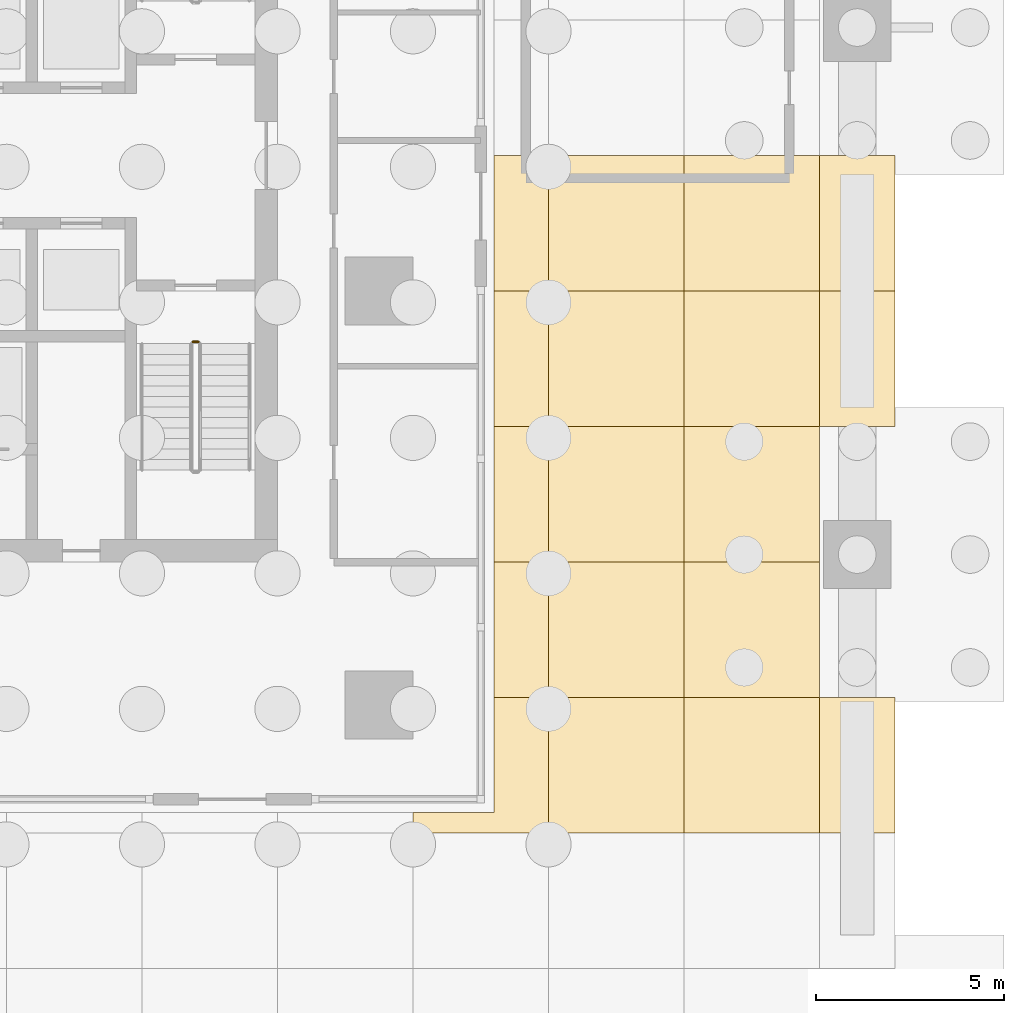
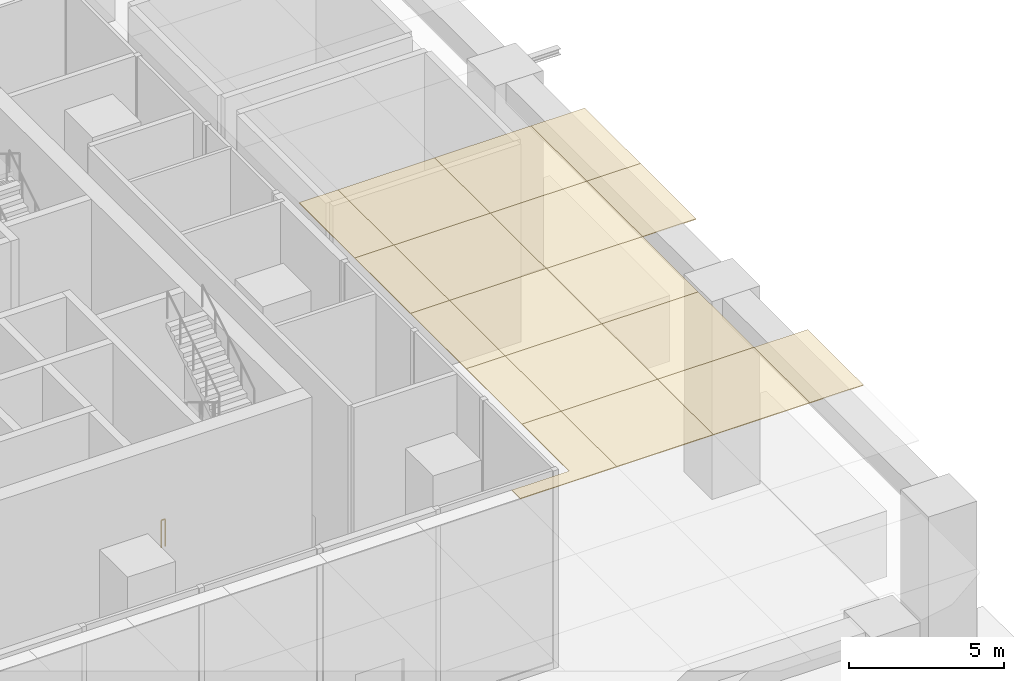
# One storey, part 14 of 18: 18 coverings, 1 railing.
"""IFC4 building model written with IfcOpenShell, lengths in metres."""

from ifc_helpers import new_model, si_unit, direction, frame, origin, origin_2d, place, context, subcontext, project, spatial, polyline, circle, outline, extrude, material, layer, layer_set, type_object, element, save


model = new_model("IFC4")

# Units and contexts
model_context = context("Model", 3, precision=1e-05, world=origin(), true_north=direction((0.0, 1.0)))
body_context = subcontext(model_context, "Body", "Model", "MODEL_VIEW")
ifc_project = project(units=[si_unit("LENGTHUNIT", "METRE"), si_unit("AREAUNIT", "SQUARE_METRE"), si_unit("VOLUMEUNIT", "CUBIC_METRE"), si_unit("PLANEANGLEUNIT", "RADIAN"), si_unit("MASSUNIT", "GRAM", prefix="KILO")], contexts=[model_context])

# Site, building, storey
site_placement = place(None, origin())
site = spatial("IfcSite", under=ifc_project, at=site_placement, CompositionType="ELEMENT")
building_placement = place(site_placement, origin())
building = spatial("IfcBuilding", under=site, at=building_placement, Name="Mopane Tessera Tower", CompositionType="ELEMENT")
storey_placement = place(building_placement, origin())
storey = spatial("IfcBuildingStorey", under=building, at=storey_placement, Name="L00", CompositionType="ELEMENT", Elevation=0.0)

# Railing
ifc_material_1 = material(Name="Powder-coated steel balustrade", Category="steel")
railing_type = type_object("IfcRailingType", Name="Escape stair guard 1100 mm", PredefinedType="GUARDRAIL", material=ifc_material_1)
railing_placement = place(storey_placement, frame((12.14990234375, -1.35009765625, 0.0)))
element("IfcRailing", 1, at=railing_placement, inside=storey, type_object=railing_type, Name="L00 ST3 stair guard 5", PredefinedType="GUARDRAIL", context=body_context, shape_type="SweptSolid", body=[
    extrude(circle(Radius=0.02392578125, at=origin_2d()), frame((0.0, 0.0, 1.076171875), z_axis=(1.0, 0.0, 0.0), x_axis=(0.0, 1.0, 0.0)), (0.0, 0.0, 1.0), 0.150146484375),
    extrude(circle(Radius=0.02099609375, at=origin_2d()), origin(), (0.0, 0.0, 1.0), 1.052001953125),
    extrude(circle(Radius=0.02099609375, at=origin_2d()), frame((0.150146484375, 0.0, 0.0)), (0.0, 0.0, 1.0), 1.052001953125),
])

# Coverings
ifc_material_2 = material(Name="Glazed ceramic tile")
ifc_layer = layer(ifc_material_2, 0.030029296875)
ifc_layer_set = layer_set([ifc_layer], Name="Glazed ceramic tile")
covering_type = type_object("IfcCoveringType", Name="Glazed tile soffit panel 3600 x 3600", PredefinedType="CEILING", material=ifc_layer_set)
covering_1_placement = place(storey_placement, frame((0.0, 0.0, 7.77001953125)))
element("IfcCovering", 2, at=covering_1_placement, inside=storey, type_object=covering_type, Name="e:tl:5:-4:0", PredefinedType="CEILING", context=body_context, shape_type="SweptSolid", body=[
    extrude(outline(polyline([(20.14990234375, -13.85009765625), (20.14990234375, -10.800048828125), (21.60009765625, -10.800048828125), (21.60009765625, -14.39990234375), (18.0, -14.39990234375), (18.0, -13.85009765625), (20.14990234375, -13.85009765625)])), origin(), (0.0, 0.0, 1.0), 0.030029296875),
])
covering_2_placement = place(storey_placement, frame((0.0, 0.0, 7.77001953125)))
element("IfcCovering", 3, at=covering_2_placement, inside=storey, type_object=covering_type, Name="e:tl:5:-3:0", PredefinedType="CEILING", context=body_context, shape_type="SweptSolid", body=[
    extrude(outline(polyline([(20.14990234375, -7.199951171875), (21.60009765625, -7.199951171875), (21.60009765625, -10.800048828125), (20.14990234375, -10.800048828125), (20.14990234375, -7.199951171875)])), origin(), (0.0, 0.0, 1.0), 0.030029296875),
])
covering_3_placement = place(storey_placement, frame((0.0, 0.0, 7.77001953125)))
element("IfcCovering", 4, at=covering_3_placement, inside=storey, type_object=covering_type, Name="e:tl:5:-2:0", PredefinedType="CEILING", context=body_context, shape_type="SweptSolid", body=[
    extrude(outline(polyline([(20.14990234375, -3.60009765625), (21.60009765625, -3.60009765625), (21.60009765625, -7.199951171875), (20.14990234375, -7.199951171875), (20.14990234375, -3.60009765625)])), origin(), (0.0, 0.0, 1.0), 0.030029296875),
])
covering_4_placement = place(storey_placement, frame((0.0, 0.0, 7.77001953125)))
element("IfcCovering", 5, at=covering_4_placement, inside=storey, type_object=covering_type, Name="e:tl:5:-1:0", PredefinedType="CEILING", context=body_context, shape_type="SweptSolid", body=[
    extrude(outline(polyline([(20.14990234375, 0.0), (21.60009765625, 0.0), (21.60009765625, -3.60009765625), (20.14990234375, -3.60009765625), (20.14990234375, 0.0)])), origin(), (0.0, 0.0, 1.0), 0.030029296875),
])
covering_5_placement = place(storey_placement, frame((0.0, 0.0, 7.77001953125)))
element("IfcCovering", 6, at=covering_5_placement, inside=storey, type_object=covering_type, Name="e:tl:5:0:0", PredefinedType="CEILING", context=body_context, shape_type="SweptSolid", body=[
    extrude(outline(polyline([(20.14990234375, 3.60009765625), (21.60009765625, 3.60009765625), (21.60009765625, 0.0), (20.14990234375, 0.0), (20.14990234375, 3.60009765625)])), origin(), (0.0, 0.0, 1.0), 0.030029296875),
])
covering_6_placement = place(storey_placement, frame((0.0, 0.0, 7.77001953125)))
element("IfcCovering", 7, at=covering_6_placement, inside=storey, type_object=covering_type, Name="e:tl:6:-4:0", PredefinedType="CEILING", context=body_context, shape_type="SweptSolid", body=[
    extrude(outline(polyline([(21.60009765625, -14.39990234375), (21.60009765625, -10.800048828125), (25.199951171875, -10.800048828125), (25.199951171875, -14.39990234375), (21.60009765625, -14.39990234375)])), origin(), (0.0, 0.0, 1.0), 0.030029296875),
])
covering_7_placement = place(storey_placement, frame((0.0, 0.0, 7.77001953125)))
element("IfcCovering", 8, at=covering_7_placement, inside=storey, type_object=covering_type, Name="e:tl:6:-3:0", PredefinedType="CEILING", context=body_context, shape_type="SweptSolid", body=[
    extrude(outline(polyline([(21.60009765625, -10.800048828125), (21.60009765625, -7.199951171875), (25.199951171875, -7.199951171875), (25.199951171875, -10.800048828125), (21.60009765625, -10.800048828125)])), origin(), (0.0, 0.0, 1.0), 0.030029296875),
])
covering_8_placement = place(storey_placement, frame((0.0, 0.0, 7.77001953125)))
element("IfcCovering", 9, at=covering_8_placement, inside=storey, type_object=covering_type, Name="e:tl:6:-2:0", PredefinedType="CEILING", context=body_context, shape_type="SweptSolid", body=[
    extrude(outline(polyline([(21.60009765625, -7.199951171875), (21.60009765625, -3.60009765625), (25.199951171875, -3.60009765625), (25.199951171875, -7.199951171875), (21.60009765625, -7.199951171875)])), origin(), (0.0, 0.0, 1.0), 0.030029296875),
])
covering_9_placement = place(storey_placement, frame((0.0, 0.0, 7.77001953125)))
element("IfcCovering", 10, at=covering_9_placement, inside=storey, type_object=covering_type, Name="e:tl:6:-1:0", PredefinedType="CEILING", context=body_context, shape_type="SweptSolid", body=[
    extrude(outline(polyline([(21.60009765625, -3.60009765625), (21.60009765625, 0.0), (25.199951171875, 0.0), (25.199951171875, -3.60009765625), (21.60009765625, -3.60009765625)])), origin(), (0.0, 0.0, 1.0), 0.030029296875),
])
covering_10_placement = place(storey_placement, frame((0.0, 0.0, 7.77001953125)))
element("IfcCovering", 11, at=covering_10_placement, inside=storey, type_object=covering_type, Name="e:tl:6:0:0", PredefinedType="CEILING", context=body_context, shape_type="SweptSolid", body=[
    extrude(outline(polyline([(21.60009765625, 0.0), (21.60009765625, 3.60009765625), (25.199951171875, 3.60009765625), (25.199951171875, 0.0), (21.60009765625, 0.0)])), origin(), (0.0, 0.0, 1.0), 0.030029296875),
])
covering_11_placement = place(storey_placement, frame((0.0, 0.0, 7.77001953125)))
element("IfcCovering", 12, at=covering_11_placement, inside=storey, type_object=covering_type, Name="e:tl:7:-4:0", PredefinedType="CEILING", context=body_context, shape_type="SweptSolid", body=[
    extrude(outline(polyline([(25.199951171875, -14.39990234375), (25.199951171875, -10.800048828125), (28.800048828125, -10.800048828125), (28.800048828125, -14.39990234375), (25.199951171875, -14.39990234375)])), origin(), (0.0, 0.0, 1.0), 0.030029296875),
])
covering_12_placement = place(storey_placement, frame((0.0, 0.0, 7.77001953125)))
element("IfcCovering", 13, at=covering_12_placement, inside=storey, type_object=covering_type, Name="e:tl:7:-3:0", PredefinedType="CEILING", context=body_context, shape_type="SweptSolid", body=[
    extrude(outline(polyline([(28.800048828125, -7.199951171875), (28.800048828125, -10.800048828125), (25.199951171875, -10.800048828125), (25.199951171875, -7.199951171875), (28.800048828125, -7.199951171875)])), origin(), (0.0, 0.0, 1.0), 0.030029296875),
])
covering_13_placement = place(storey_placement, frame((0.0, 0.0, 7.77001953125)))
element("IfcCovering", 14, at=covering_13_placement, inside=storey, type_object=covering_type, Name="e:tl:7:-2:0", PredefinedType="CEILING", context=body_context, shape_type="SweptSolid", body=[
    extrude(outline(polyline([(28.800048828125, -7.199951171875), (25.199951171875, -7.199951171875), (25.199951171875, -3.60009765625), (28.800048828125, -3.60009765625), (28.800048828125, -7.199951171875)])), origin(), (0.0, 0.0, 1.0), 0.030029296875),
])
covering_14_placement = place(storey_placement, frame((0.0, 0.0, 7.77001953125)))
element("IfcCovering", 15, at=covering_14_placement, inside=storey, type_object=covering_type, Name="e:tl:7:-1:0", PredefinedType="CEILING", context=body_context, shape_type="SweptSolid", body=[
    extrude(outline(polyline([(25.199951171875, -3.60009765625), (25.199951171875, 0.0), (28.800048828125, 0.0), (28.800048828125, -3.60009765625), (25.199951171875, -3.60009765625)])), origin(), (0.0, 0.0, 1.0), 0.030029296875),
])
covering_15_placement = place(storey_placement, frame((0.0, 0.0, 7.77001953125)))
element("IfcCovering", 16, at=covering_15_placement, inside=storey, type_object=covering_type, Name="e:tl:7:0:0", PredefinedType="CEILING", context=body_context, shape_type="SweptSolid", body=[
    extrude(outline(polyline([(25.199951171875, 0.0), (25.199951171875, 3.60009765625), (28.800048828125, 3.60009765625), (28.800048828125, 0.0), (25.199951171875, 0.0)])), origin(), (0.0, 0.0, 1.0), 0.030029296875),
])
covering_16_placement = place(storey_placement, frame((0.0, 0.0, 7.77001953125)))
element("IfcCovering", 17, at=covering_16_placement, inside=storey, type_object=covering_type, Name="e:tl:8:-4:0", PredefinedType="CEILING", context=body_context, shape_type="SweptSolid", body=[
    extrude(outline(polyline([(30.800048828125, -14.39990234375), (28.800048828125, -14.39990234375), (28.800048828125, -10.800048828125), (30.800048828125, -10.800048828125), (30.800048828125, -14.39990234375)])), origin(), (0.0, 0.0, 1.0), 0.030029296875),
])
covering_17_placement = place(storey_placement, frame((0.0, 0.0, 7.77001953125)))
element("IfcCovering", 18, at=covering_17_placement, inside=storey, type_object=covering_type, Name="e:tl:8:-1:0", PredefinedType="CEILING", context=body_context, shape_type="SweptSolid", body=[
    extrude(outline(polyline([(30.800048828125, -3.60009765625), (28.800048828125, -3.60009765625), (28.800048828125, 0.0), (30.800048828125, 0.0), (30.800048828125, -3.60009765625)])), origin(), (0.0, 0.0, 1.0), 0.030029296875),
])
covering_18_placement = place(storey_placement, frame((0.0, 0.0, 7.77001953125)))
element("IfcCovering", 19, at=covering_18_placement, inside=storey, type_object=covering_type, Name="e:tl:8:0:0", PredefinedType="CEILING", context=body_context, shape_type="SweptSolid", body=[
    extrude(outline(polyline([(30.800048828125, 0.0), (28.800048828125, 0.0), (28.800048828125, 3.60009765625), (30.800048828125, 3.60009765625), (30.800048828125, 0.0)])), origin(), (0.0, 0.0, 1.0), 0.030029296875),
])

save(model, "model.ifc")
